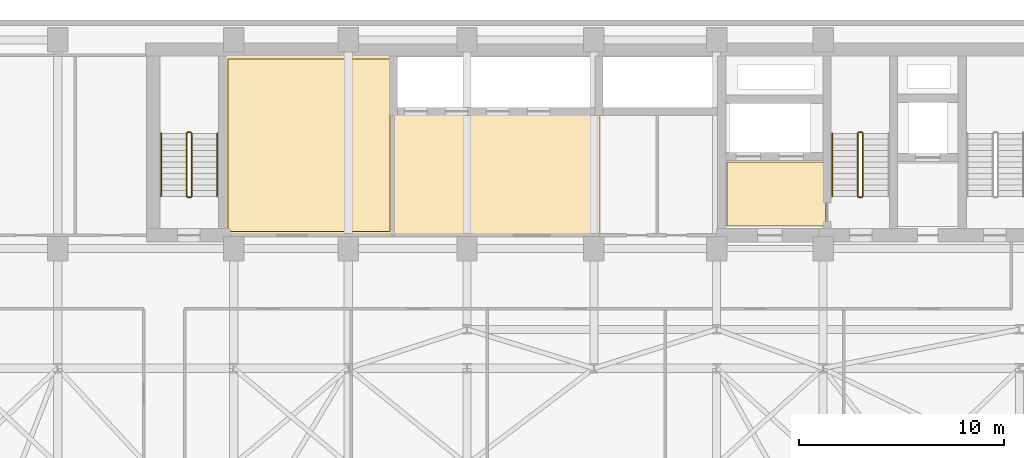
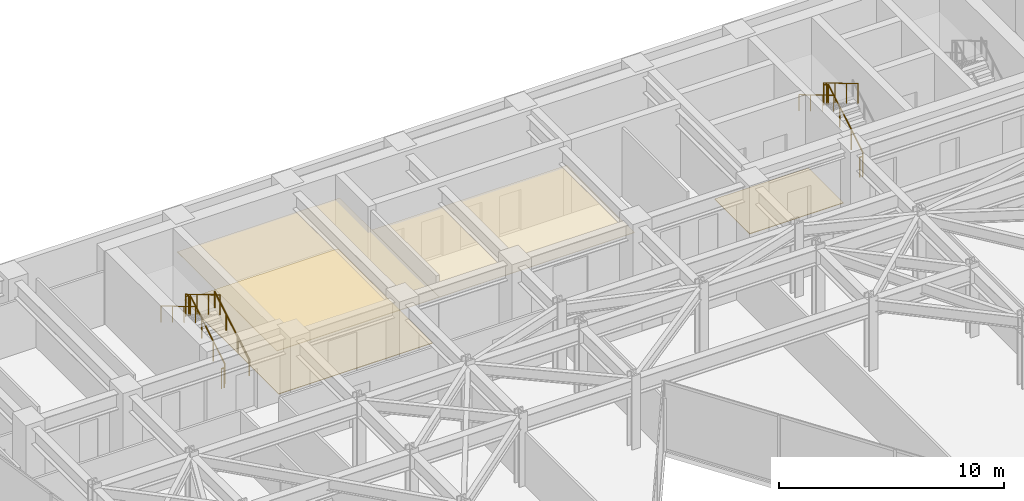
# One storey, part 25 of 26: 11 railings, 4 coverings.
"""IFC4 building model written with IfcOpenShell, lengths in metres."""

from ifc_helpers import new_model, si_unit, direction, frame, origin, origin_2d, place, context, subcontext, project, spatial, polyline, circle, outline, extrude, material, layer, layer_set, type_object, element, save


model = new_model("IFC4")

# Units and contexts
model_context = context("Model", 3, precision=1e-05, world=origin(), true_north=direction((0.0, 1.0)))
body_context = subcontext(model_context, "Body", "Model", "MODEL_VIEW")
ifc_project = project(units=[si_unit("LENGTHUNIT", "METRE"), si_unit("AREAUNIT", "SQUARE_METRE"), si_unit("VOLUMEUNIT", "CUBIC_METRE"), si_unit("PLANEANGLEUNIT", "RADIAN"), si_unit("MASSUNIT", "GRAM", prefix="KILO")], contexts=[model_context])

# Site, building, storey
site_placement = place(None, origin())
site = spatial("IfcSite", under=ifc_project, at=site_placement, CompositionType="ELEMENT")
building_placement = place(site_placement, origin())
building = spatial("IfcBuilding", under=site, at=building_placement, Name="Kravanh Interchange Tower", CompositionType="ELEMENT")
storey_placement = place(building_placement, frame((0.0, 0.0, 116.0)))
storey = spatial("IfcBuildingStorey", under=building, at=storey_placement, Name="L27", CompositionType="ELEMENT", Elevation=116.0)

# Coverings
ifc_material_1 = material(Name="Cementitious Terrazzo Tile")
ifc_layer_1 = layer(ifc_material_1, 0.030029296875)
ifc_layer_set_1 = layer_set([ifc_layer_1], Name="Honed Terrazzo Lobby Flooring 30mm")
covering_type_1 = type_object("IfcCoveringType", Name="Honed Terrazzo Lobby Flooring 30mm", PredefinedType="FLOORING", material=ifc_layer_set_1)
covering_1_placement = place(storey_placement, origin())
element("IfcCovering", 1, at=covering_1_placement, inside=storey, type_object=covering_type_1, Name="L27 Firefighting Lobby Floor Finish", PredefinedType="FLOORING", context=body_context, shape_type="SweptSolid", body=[
    extrude(outline(polyline([(56.1201171875, 38.4599609375), (51.300048828125, 38.4599609375), (51.300048828125, 41.580078125), (56.1201171875, 41.580078125), (56.1201171875, 38.4599609375)])), origin(), (0.0, 0.0, 1.0), 0.030029296875),
])
covering_2_placement = place(storey_placement, origin())
element("IfcCovering", 2, at=covering_2_placement, inside=storey, type_object=covering_type_1, Name="L27 Tenant Wellness and Prayer Suite Floor Finish", PredefinedType="FLOORING", context=body_context, shape_type="SweptSolid", body=[
    extrude(outline(polyline([(26.929931640625, 46.6201171875), (34.840087890625, 46.6201171875), (34.840087890625, 38.179931640625), (26.929931640625, 38.179931640625), (26.929931640625, 46.6201171875)])), origin(), (0.0, 0.0, 1.0), 0.030029296875),
])
ifc_material_2 = material(Name="Anodised Bronze Aluminium Acoustic Baffle", Category="aluminium")
ifc_layer_2 = layer(ifc_material_2, 0.034912109375)
ifc_layer_set_2 = layer_set([ifc_layer_2], Name="Linear Bronze Baffle Feature Ceiling 35mm")
covering_type_2 = type_object("IfcCoveringType", Name="Linear Bronze Baffle Feature Ceiling 35mm", PredefinedType="CEILING", material=ifc_layer_set_2)
covering_3_placement = place(storey_placement, frame((0.0, 0.0, 2.550048828125)))
element("IfcCovering", 3, at=covering_3_placement, inside=storey, type_object=covering_type_2, Name="L27 Tenant Wellness and Prayer Suite Suspended Ceiling", PredefinedType="CEILING", context=body_context, shape_type="SweptSolid", body=[
    extrude(outline(polyline([(35.06005859375, 37.9599609375), (26.7099609375, 37.9599609375), (26.7099609375, 46.840087890625), (35.06005859375, 46.840087890625), (35.06005859375, 37.9599609375)])), origin(), (0.0, 0.0, 1.0), 0.034912109375),
])
ifc_material_3 = material(Name="Acoustic Mineral Fibre Tile on Aluminium Grid", Category="aluminium")
ifc_layer_3 = layer(ifc_material_3, 0.02490234375)
ifc_layer_set_3 = layer_set([ifc_layer_3], Name="Perforated Acoustic Mineral Ceiling 25mm")
covering_type_3 = type_object("IfcCoveringType", Name="Perforated Acoustic Mineral Ceiling 25mm", PredefinedType="CEILING", material=ifc_layer_set_3)
covering_4_placement = place(storey_placement, frame((0.0, 0.0, 2.550048828125)))
element("IfcCovering", 4, at=covering_4_placement, inside=storey, type_object=covering_type_3, Name="L27 Mid-Rise Lift Lobby Suspended Ceiling", PredefinedType="CEILING", context=body_context, shape_type="SweptSolid", body=[
    extrude(outline(polyline([(45.090087890625, 37.9599609375), (34.93994140625, 37.9599609375), (34.93994140625, 43.989990234375), (45.090087890625, 43.989990234375), (45.090087890625, 37.9599609375)])), origin(), (0.0, 0.0, 1.0), 0.02490234375),
])

# Railings
ifc_material_4 = material(Name="Structural Steel S355", Category="steel")
ifc_layer_4 = layer(ifc_material_4, 0.050048828125)
ifc_layer_set_4 = layer_set([ifc_layer_4], Name="Stair Well Guardrail Structural Steel S355 1100mm")
railing_type_1 = type_object("IfcRailingType", Name="Stair Well Guardrail Structural Steel S355 1100mm", PredefinedType="GUARDRAIL", material=ifc_layer_set_4)
railing_1_placement = place(storey_placement, frame((57.949951171875, 39.89990234375, 0.166748046875)))
element("IfcRailing", 5, at=railing_1_placement, inside=storey, type_object=railing_type_1, Name="L27 ST2 stair guard 1", PredefinedType="GUARDRAIL", context=body_context, shape_type="SweptSolid", body=[
    extrude(circle(Radius=0.02392578125, at=origin_2d()), frame((0.0, 0.0, 1.076171875), z_axis=(0.0, 0.859308565015, 0.511457515432), x_axis=(-1.0, 0.0, 0.0)), (0.0, 0.0, 1.0), 3.58447265625),
    extrude(circle(Radius=0.02099609375, at=origin_2d()), origin(), (0.0, 0.0, 1.0), 1.052001953125),
    extrude(circle(Radius=0.02099609375, at=origin_2d()), frame((0.0, 1.026611328125, 0.611083984375)), (0.0, 0.0, 1.0), 1.052001953125),
    extrude(circle(Radius=0.02099609375, at=origin_2d()), frame((0.0, 2.053466796875, 1.22216796875)), (0.0, 0.0, 1.0), 1.052001953125),
    extrude(circle(Radius=0.02099609375, at=origin_2d()), frame((0.0, 3.080078125, 1.833251953125)), (0.0, 0.0, 1.0), 1.052001953125),
])
railing_2_placement = place(storey_placement, frame((57.89990234375, 43.030029296875, 2.0)))
element("IfcRailing", 6, at=railing_2_placement, inside=storey, type_object=railing_type_1, Name="L27 ST2 stair guard 2", PredefinedType="GUARDRAIL", context=body_context, shape_type="SweptSolid", body=[
    extrude(circle(Radius=0.02392578125, at=origin_2d()), frame((0.0, 0.0, 1.076171875), z_axis=(-1.0, 0.0, 0.0), x_axis=(0.0, -1.0, 0.0)), (0.0, 0.0, 1.0), 0.14990234375),
    extrude(circle(Radius=0.02099609375, at=origin_2d()), origin(), (0.0, 0.0, 1.0), 1.052001953125),
    extrude(circle(Radius=0.02099609375, at=origin_2d()), frame((-0.14990234375, 0.0, 0.0)), (0.0, 0.0, 1.0), 1.052001953125),
])
railing_3_placement = place(storey_placement, frame((57.699951171875, 42.97998046875, 2.166748046875)))
element("IfcRailing", 7, at=railing_3_placement, inside=storey, type_object=railing_type_1, Name="L27 ST2 stair guard 3", PredefinedType="GUARDRAIL", context=body_context, shape_type="SweptSolid", body=[
    extrude(circle(Radius=0.02392578125, at=origin_2d()), frame((0.0, 0.0, 1.076171875), z_axis=(0.0, -0.859308565015, 0.511457515432), x_axis=(1.0, 0.0, 0.0)), (0.0, 0.0, 1.0), 3.58447265625),
    extrude(circle(Radius=0.02099609375, at=origin_2d()), origin(), (0.0, 0.0, 1.0), 1.052001953125),
    extrude(circle(Radius=0.02099609375, at=origin_2d()), frame((0.0, -1.026611328125, 0.611083984375)), (0.0, 0.0, 1.0), 1.052001953125),
    extrude(circle(Radius=0.02099609375, at=origin_2d()), frame((0.0, -2.053466796875, 1.22216796875)), (0.0, 0.0, 1.0), 1.052001953125),
    extrude(circle(Radius=0.02099609375, at=origin_2d()), frame((0.0, -3.080078125, 1.833251953125)), (0.0, 0.0, 1.0), 1.052001953125),
])
railing_4_placement = place(storey_placement, frame((57.89990234375, 39.85009765625, 0.0)))
element("IfcRailing", 8, at=railing_4_placement, inside=storey, type_object=railing_type_1, Name="L27 ST2 stair guard 4", PredefinedType="GUARDRAIL", context=body_context, shape_type="SweptSolid", body=[
    extrude(circle(Radius=0.02392578125, at=origin_2d()), frame((0.0, 0.0, 1.076171875), z_axis=(-1.0, 0.0, 0.0), x_axis=(0.0, -1.0, 0.0)), (0.0, 0.0, 1.0), 0.14990234375),
    extrude(circle(Radius=0.02099609375, at=origin_2d()), origin(), (0.0, 0.0, 1.0), 1.052001953125),
    extrude(circle(Radius=0.02099609375, at=origin_2d()), frame((-0.14990234375, 0.0, 0.0)), (0.0, 0.0, 1.0), 1.052001953125),
])
railing_5_placement = place(storey_placement, frame((25.14990234375, 39.89990234375, 0.166748046875)))
element("IfcRailing", 9, at=railing_5_placement, inside=storey, type_object=railing_type_1, Name="L27 ST3 stair guard 1", PredefinedType="GUARDRAIL", context=body_context, shape_type="SweptSolid", body=[
    extrude(circle(Radius=0.02392578125, at=origin_2d()), frame((0.0, 0.0, 1.076171875), z_axis=(0.0, 0.859308565015, 0.511457515432), x_axis=(-1.0, 0.0, 0.0)), (0.0, 0.0, 1.0), 3.58447265625),
    extrude(circle(Radius=0.02099609375, at=origin_2d()), origin(), (0.0, 0.0, 1.0), 1.052001953125),
    extrude(circle(Radius=0.02099609375, at=origin_2d()), frame((0.0, 1.026611328125, 0.611083984375)), (0.0, 0.0, 1.0), 1.052001953125),
    extrude(circle(Radius=0.02099609375, at=origin_2d()), frame((0.0, 2.053466796875, 1.22216796875)), (0.0, 0.0, 1.0), 1.052001953125),
    extrude(circle(Radius=0.02099609375, at=origin_2d()), frame((0.0, 3.080078125, 1.833251953125)), (0.0, 0.0, 1.0), 1.052001953125),
])
railing_6_placement = place(storey_placement, frame((25.10009765625, 43.030029296875, 2.0)))
element("IfcRailing", 10, at=railing_6_placement, inside=storey, type_object=railing_type_1, Name="L27 ST3 stair guard 2", PredefinedType="GUARDRAIL", context=body_context, shape_type="SweptSolid", body=[
    extrude(circle(Radius=0.02392578125, at=origin_2d()), frame((0.0, 0.0, 1.076171875), z_axis=(-1.0, 0.0, 0.0), x_axis=(0.0, -1.0, 0.0)), (0.0, 0.0, 1.0), 0.150146484375),
    extrude(circle(Radius=0.02099609375, at=origin_2d()), origin(), (0.0, 0.0, 1.0), 1.052001953125),
    extrude(circle(Radius=0.02099609375, at=origin_2d()), frame((-0.150146484375, 0.0, 0.0)), (0.0, 0.0, 1.0), 1.052001953125),
])
railing_7_placement = place(storey_placement, frame((24.89990234375, 42.97998046875, 2.166748046875)))
element("IfcRailing", 11, at=railing_7_placement, inside=storey, type_object=railing_type_1, Name="L27 ST3 stair guard 3", PredefinedType="GUARDRAIL", context=body_context, shape_type="SweptSolid", body=[
    extrude(circle(Radius=0.02392578125, at=origin_2d()), frame((0.0, 0.0, 1.076171875), z_axis=(0.0, -0.859308565015, 0.511457515432), x_axis=(1.0, 0.0, 0.0)), (0.0, 0.0, 1.0), 3.58447265625),
    extrude(circle(Radius=0.02099609375, at=origin_2d()), origin(), (0.0, 0.0, 1.0), 1.052001953125),
    extrude(circle(Radius=0.02099609375, at=origin_2d()), frame((0.0, -1.026611328125, 0.611083984375)), (0.0, 0.0, 1.0), 1.052001953125),
    extrude(circle(Radius=0.02099609375, at=origin_2d()), frame((0.0, -2.053466796875, 1.22216796875)), (0.0, 0.0, 1.0), 1.052001953125),
    extrude(circle(Radius=0.02099609375, at=origin_2d()), frame((0.0, -3.080078125, 1.833251953125)), (0.0, 0.0, 1.0), 1.052001953125),
])
railing_8_placement = place(storey_placement, frame((25.10009765625, 39.85009765625, 0.0)))
element("IfcRailing", 12, at=railing_8_placement, inside=storey, type_object=railing_type_1, Name="L27 ST3 stair guard 4", PredefinedType="GUARDRAIL", context=body_context, shape_type="SweptSolid", body=[
    extrude(circle(Radius=0.02392578125, at=origin_2d()), frame((0.0, 0.0, 1.076171875), z_axis=(-1.0, 0.0, 0.0), x_axis=(0.0, -1.0, 0.0)), (0.0, 0.0, 1.0), 0.150146484375),
    extrude(circle(Radius=0.02099609375, at=origin_2d()), origin(), (0.0, 0.0, 1.0), 1.052001953125),
    extrude(circle(Radius=0.02099609375, at=origin_2d()), frame((-0.150146484375, 0.0, 0.0)), (0.0, 0.0, 1.0), 1.052001953125),
])
ifc_material_5 = material(Name="Stainless Steel 304", Category="steel")
ifc_layer_5 = layer(ifc_material_5, 0.044921875)
ifc_layer_set_5 = layer_set([ifc_layer_5], Name="Tubular Stair Handrail Stainless 304 900mm")
railing_type_2 = type_object("IfcRailingType", Name="Tubular Stair Handrail Stainless 304 900mm", PredefinedType="HANDRAIL", material=ifc_layer_set_5)
railing_9_placement = place(storey_placement, frame((56.449951171875, 42.97998046875, 2.166748046875)))
element("IfcRailing", 13, at=railing_9_placement, inside=storey, type_object=railing_type_2, Name="L27 ST2 stair handrail 2", PredefinedType="HANDRAIL", context=body_context, shape_type="SweptSolid", body=[
    extrude(circle(Radius=0.02392578125, at=origin_2d()), frame((0.0, 0.0, 0.8759765625), z_axis=(0.0, -0.859308565015, 0.511457515432), x_axis=(1.0, 0.0, 0.0)), (0.0, 0.0, 1.0), 3.58447265625),
    extrude(circle(Radius=0.02099609375, at=origin_2d()), origin(), (0.0, 0.0, 1.0), 0.851806640625),
    extrude(circle(Radius=0.02099609375, at=origin_2d()), frame((0.0, -1.026611328125, 0.611083984375)), (0.0, 0.0, 1.0), 0.851806640625),
    extrude(circle(Radius=0.02099609375, at=origin_2d()), frame((0.0, -2.053466796875, 1.22216796875)), (0.0, 0.0, 1.0), 0.851806640625),
    extrude(circle(Radius=0.02099609375, at=origin_2d()), frame((0.0, -3.080078125, 1.833251953125)), (0.0, 0.0, 1.0), 0.851806640625),
])
railing_10_placement = place(storey_placement, frame((26.39990234375, 39.89990234375, 0.166748046875)))
element("IfcRailing", 14, at=railing_10_placement, inside=storey, type_object=railing_type_2, Name="L27 ST3 stair handrail 1", PredefinedType="HANDRAIL", context=body_context, shape_type="SweptSolid", body=[
    extrude(circle(Radius=0.02392578125, at=origin_2d()), frame((0.0, 0.0, 0.8759765625), z_axis=(0.0, 0.859308565015, 0.511457515432), x_axis=(-1.0, 0.0, 0.0)), (0.0, 0.0, 1.0), 3.58447265625),
    extrude(circle(Radius=0.02099609375, at=origin_2d()), origin(), (0.0, 0.0, 1.0), 0.851806640625),
    extrude(circle(Radius=0.02099609375, at=origin_2d()), frame((0.0, 1.026611328125, 0.611083984375)), (0.0, 0.0, 1.0), 0.851806640625),
    extrude(circle(Radius=0.02099609375, at=origin_2d()), frame((0.0, 2.053466796875, 1.22216796875)), (0.0, 0.0, 1.0), 0.851806640625),
    extrude(circle(Radius=0.02099609375, at=origin_2d()), frame((0.0, 3.080078125, 1.833251953125)), (0.0, 0.0, 1.0), 0.851806640625),
])
railing_11_placement = place(storey_placement, frame((23.64990234375, 42.97998046875, 2.166748046875)))
element("IfcRailing", 15, at=railing_11_placement, inside=storey, type_object=railing_type_2, Name="L27 ST3 stair handrail 2", PredefinedType="HANDRAIL", context=body_context, shape_type="SweptSolid", body=[
    extrude(circle(Radius=0.02392578125, at=origin_2d()), frame((0.0, 0.0, 0.8759765625), z_axis=(0.0, -0.859308565015, 0.511457515432), x_axis=(1.0, 0.0, 0.0)), (0.0, 0.0, 1.0), 3.58447265625),
    extrude(circle(Radius=0.02099609375, at=origin_2d()), origin(), (0.0, 0.0, 1.0), 0.851806640625),
    extrude(circle(Radius=0.02099609375, at=origin_2d()), frame((0.0, -1.026611328125, 0.611083984375)), (0.0, 0.0, 1.0), 0.851806640625),
    extrude(circle(Radius=0.02099609375, at=origin_2d()), frame((0.0, -2.053466796875, 1.22216796875)), (0.0, 0.0, 1.0), 0.851806640625),
    extrude(circle(Radius=0.02099609375, at=origin_2d()), frame((0.0, -3.080078125, 1.833251953125)), (0.0, 0.0, 1.0), 0.851806640625),
])

save(model, "model.ifc")
